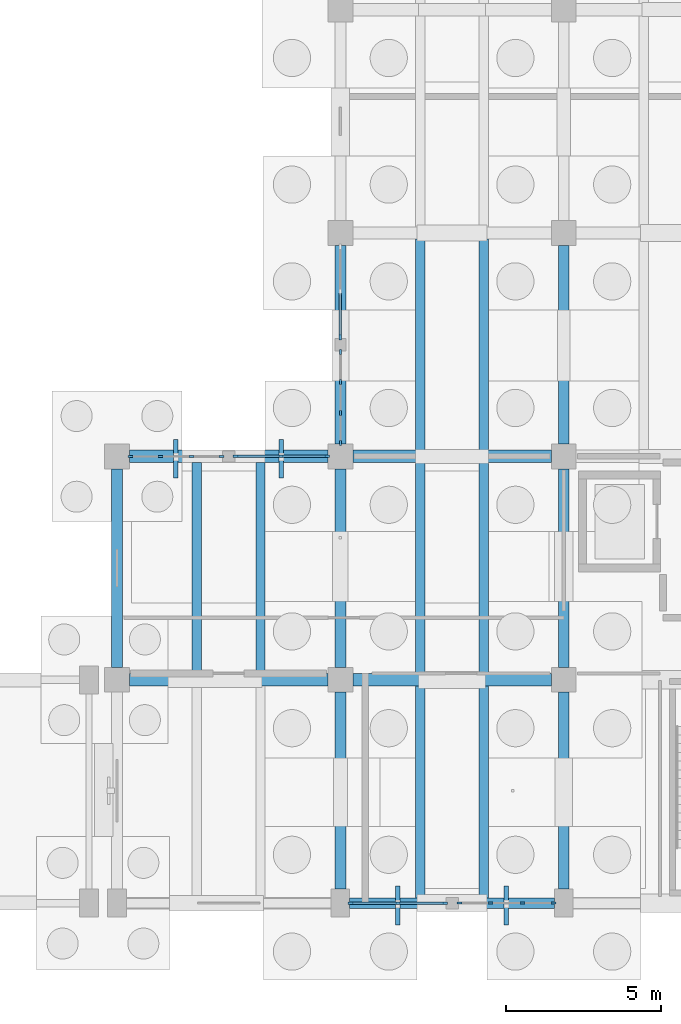
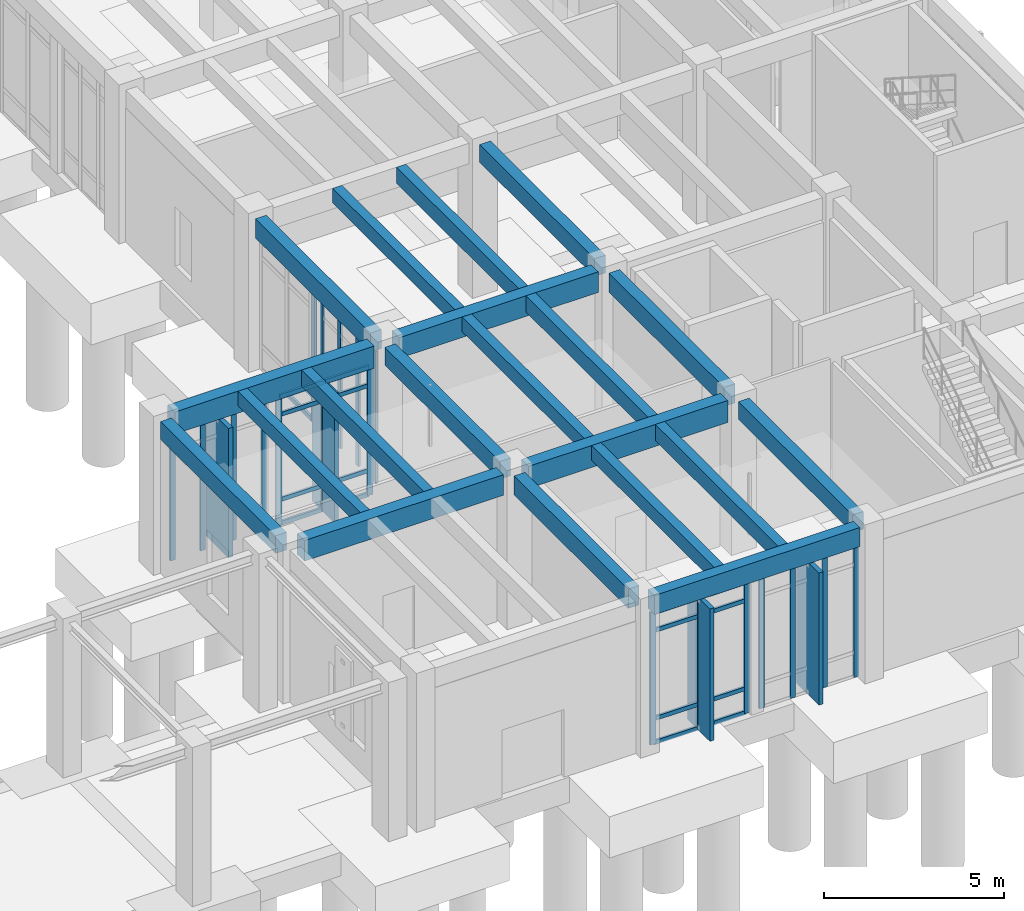
# One storey, part 35 of 93: 41 members, 20 beams, 6 elements without a shape of their own.
"""IFC4 building model written with IfcOpenShell, lengths in metres."""

from ifc_helpers import new_model, si_unit, direction, frame, origin, origin_2d, place, context, subcontext, project, spatial, rectangle, extrude, material, layer, layer_set, material_profile, profile_set, type_object, element, aggregate, save


model = new_model("IFC4")

# Units and contexts
model_context = context("Model", 3, precision=1e-05, world=origin(), true_north=direction((0.0, 1.0)))
body_context = subcontext(model_context, "Body", "Model", "MODEL_VIEW")
ifc_project = project(units=[si_unit("LENGTHUNIT", "METRE"), si_unit("AREAUNIT", "SQUARE_METRE"), si_unit("VOLUMEUNIT", "CUBIC_METRE"), si_unit("PLANEANGLEUNIT", "RADIAN"), si_unit("MASSUNIT", "GRAM", prefix="KILO")], contexts=[model_context])

# Site, building, storey
site_placement = place(None, origin())
site = spatial("IfcSite", under=ifc_project, at=site_placement, CompositionType="ELEMENT")
building_placement = place(site_placement, origin())
building = spatial("IfcBuilding", under=site, at=building_placement, Name="Koriwan Promenade Central Fire Station", CompositionType="ELEMENT")
storey_placement = place(building_placement, origin())
storey = spatial("IfcBuildingStorey", under=building, at=storey_placement, Name="L00", CompositionType="ELEMENT", Elevation=0.0)

# Beams
ifc_material_1 = material(Name="Concrete C35/45", Category="concrete")
ifc_material_profile_1 = material_profile(ifc_material_1, rectangle(XDim=0.300048828125, YDim=0.5, at=origin_2d()), Name="RC-BM-300x500")
ifc_profile_set_1 = profile_set([ifc_material_profile_1], Name="Concrete C35/45")
beam_type_1 = type_object("IfcBeamType", Name="Beam_RC-BM-300x500", PredefinedType="JOIST", material=ifc_profile_set_1)
beam_1_placement = place(storey_placement, frame((153.77587890625, 0.175048828125, 4.89990234375), z_axis=(0.0, 1.0, 0.0), x_axis=(-1.0, 0.0, 0.0)))
element("IfcBeam", 1, at=beam_1_placement, inside=storey, type_object=beam_type_1, Name="V5 L00 secondary joist 565", PredefinedType="JOIST", context=body_context, shape_type="SweptSolid", body=[
    extrude(rectangle(XDim=0.300048828125, YDim=0.5, at=origin_2d()), origin(), (0.0, 0.0, 1.0), 6.824951171875),
])
for number, where, z_axis, x_axis, name in (
    (2, (146.575927734375, 7.39990234375, 4.89990234375), (0.0, 1.0, 0.0), (-1.0, 0.0, 0.0), "V5 L00 secondary joist 569"),
    (3, (153.77587890625, 7.39990234375, 4.89990234375), (0.0, 1.0, 0.0), (-1.0, 0.0, 0.0), "V5 L00 secondary joist 571"),
):
    element("IfcBeam", number, at=place(storey_placement, frame(where, z_axis=z_axis, x_axis=x_axis)), inside=storey, type_object=beam_type_1, Name=name, PredefinedType="JOIST", context=body_context, shape_type="SweptSolid", body=[
        extrude(rectangle(XDim=0.300048828125, YDim=0.5, at=origin_2d()), origin(), (0.0, 0.0, 1.0), 6.800048828125),
    ])
beam_2_placement = place(storey_placement, frame((153.77587890625, 14.60009765625, 4.89990234375), z_axis=(0.0, 1.0, 0.0), x_axis=(-1.0, 0.0, 0.0)))
element("IfcBeam", 4, at=beam_2_placement, inside=storey, type_object=beam_type_1, Name="V5 L00 secondary joist 573", PredefinedType="JOIST", context=body_context, shape_type="SweptSolid", body=[
    extrude(rectangle(XDim=0.300048828125, YDim=0.5, at=origin_2d()), origin(), (0.0, 0.0, 1.0), 6.7998046875),
])
ifc_material_profile_2 = material_profile(ifc_material_1, rectangle(XDim=0.300048828125, YDim=0.550048828125, at=origin_2d()), Name="RC-BM-300x550")
ifc_profile_set_2 = profile_set([ifc_material_profile_2], Name="Concrete C35/45")
beam_type_2 = type_object("IfcBeamType", Name="Beam_RC-BM-300x550", PredefinedType="JOIST", material=ifc_profile_set_2)
beam_3_placement = place(storey_placement, frame((155.823974609375, 0.175048828125, 4.875), z_axis=(0.0, 1.0, 0.0), x_axis=(-1.0, 0.0, 0.0)))
element("IfcBeam", 5, at=beam_3_placement, inside=storey, type_object=beam_type_2, Name="V5 L00 secondary joist 566", PredefinedType="JOIST", context=body_context, shape_type="SweptSolid", body=[
    extrude(rectangle(XDim=0.300048828125, YDim=0.550048828125, at=origin_2d()), origin(), (0.0, 0.0, 1.0), 6.824951171875),
])
for number, where, z_axis, x_axis, name in (
    (6, (148.6240234375, 7.39990234375, 4.875), (0.0, 1.0, 0.0), (-1.0, 0.0, 0.0), "V5 L00 secondary joist 570"),
    (7, (155.823974609375, 7.39990234375, 4.875), (0.0, 1.0, 0.0), (-1.0, 0.0, 0.0), "V5 L00 secondary joist 572"),
):
    element("IfcBeam", number, at=place(storey_placement, frame(where, z_axis=z_axis, x_axis=x_axis)), inside=storey, type_object=beam_type_2, Name=name, PredefinedType="JOIST", context=body_context, shape_type="SweptSolid", body=[
        extrude(rectangle(XDim=0.300048828125, YDim=0.550048828125, at=origin_2d()), origin(), (0.0, 0.0, 1.0), 6.800048828125),
    ])
beam_4_placement = place(storey_placement, frame((155.823974609375, 14.60009765625, 4.875), z_axis=(0.0, 1.0, 0.0), x_axis=(-1.0, 0.0, 0.0)))
element("IfcBeam", 8, at=beam_4_placement, inside=storey, type_object=beam_type_2, Name="V5 L00 secondary joist 574", PredefinedType="JOIST", context=body_context, shape_type="SweptSolid", body=[
    extrude(rectangle(XDim=0.300048828125, YDim=0.550048828125, at=origin_2d()), origin(), (0.0, 0.0, 1.0), 6.7998046875),
])
ifc_material_profile_3 = material_profile(ifc_material_1, rectangle(XDim=0.35009765625, YDim=0.60009765625, at=origin_2d()), Name="RC-BM-350x600")
ifc_profile_set_3 = profile_set([ifc_material_profile_3], Name="Concrete C35/45")
beam_type_3 = type_object("IfcBeamType", Name="Beam_RC-BM-350x600", PredefinedType="BEAM", material=ifc_profile_set_3)
for number, where, z_axis, x_axis, name in (
    (9, (144.0, 7.60009765625, 4.85009765625), (0.0, 1.0, 0.0), (-1.0, 0.0, 0.0), "V5 L00 girder Y-518"),
    (10, (151.199951171875, 7.60009765625, 4.85009765625), (0.0, 1.0, 0.0), (-1.0, 0.0, 0.0), "V5 L00 girder Y-520"),
):
    element("IfcBeam", number, at=place(storey_placement, frame(where, z_axis=z_axis, x_axis=x_axis)), inside=storey, type_object=beam_type_3, Name=name, PredefinedType="BEAM", context=body_context, shape_type="SweptSolid", body=[
        extrude(rectangle(XDim=0.35009765625, YDim=0.60009765625, at=origin_2d()), origin(), (0.0, 0.0, 1.0), 6.39990234375),
    ])
beam_5_placement = place(storey_placement, frame((158.39990234375, 0.449951171875, 4.85009765625), z_axis=(0.0, 1.0, 0.0), x_axis=(-1.0, 0.0, 0.0)))
element("IfcBeam", 11, at=beam_5_placement, inside=storey, type_object=beam_type_3, Name="V5 L00 girder Y-530", PredefinedType="BEAM", context=body_context, shape_type="SweptSolid", body=[
    extrude(rectangle(XDim=0.35009765625, YDim=0.60009765625, at=origin_2d()), origin(), (0.0, 0.0, 1.0), 6.35009765625),
])
beam_6_placement = place(storey_placement, frame((158.39990234375, 14.800048828125, 4.85009765625), z_axis=(0.0, 1.0, 0.0), x_axis=(-1.0, 0.0, 0.0)))
element("IfcBeam", 12, at=beam_6_placement, inside=storey, type_object=beam_type_3, Name="V5 L00 girder Y-532", PredefinedType="BEAM", context=body_context, shape_type="SweptSolid", body=[
    extrude(rectangle(XDim=0.35009765625, YDim=0.60009765625, at=origin_2d()), origin(), (0.0, 0.0, 1.0), 6.39990234375),
])
ifc_material_profile_4 = material_profile(ifc_material_1, rectangle(XDim=0.35009765625, YDim=0.64990234375, at=origin_2d()), Name="RC-BM-350x650")
ifc_profile_set_4 = profile_set([ifc_material_profile_4], Name="Concrete C35/45")
beam_type_4 = type_object("IfcBeamType", Name="Beam_RC-BM-350x650", PredefinedType="BEAM", material=ifc_profile_set_4)
beam_7_placement = place(storey_placement, frame((151.199951171875, 0.449951171875, 4.824951171875), z_axis=(0.0, 1.0, 0.0), x_axis=(-1.0, 0.0, 0.0)))
element("IfcBeam", 13, at=beam_7_placement, inside=storey, type_object=beam_type_4, Name="V5 L00 girder Y-519", PredefinedType="BEAM", context=body_context, shape_type="SweptSolid", body=[
    extrude(rectangle(XDim=0.35009765625, YDim=0.64990234375, at=origin_2d()), origin(), (0.0, 0.0, 1.0), 6.35009765625),
])
for number, where, z_axis, x_axis, name in (
    (14, (151.199951171875, 14.800048828125, 4.824951171875), (0.0, 1.0, 0.0), (-1.0, 0.0, 0.0), "V5 L00 girder Y-521"),
    (15, (158.39990234375, 7.60009765625, 4.824951171875), (0.0, 1.0, 0.0), (-1.0, 0.0, 0.0), "V5 L00 girder Y-531"),
):
    element("IfcBeam", number, at=place(storey_placement, frame(where, z_axis=z_axis, x_axis=x_axis)), inside=storey, type_object=beam_type_4, Name=name, PredefinedType="BEAM", context=body_context, shape_type="SweptSolid", body=[
        extrude(rectangle(XDim=0.35009765625, YDim=0.64990234375, at=origin_2d()), origin(), (0.0, 0.0, 1.0), 6.39990234375),
    ])
ifc_material_profile_5 = material_profile(ifc_material_1, rectangle(XDim=0.39990234375, YDim=0.699951171875, at=origin_2d()), Name="RC-BM-400x700")
ifc_profile_set_5 = profile_set([ifc_material_profile_5], Name="Concrete C35/45")
beam_type_5 = type_object("IfcBeamType", Name="Beam_RC-BM-400x700", PredefinedType="BEAM", material=ifc_profile_set_5)
beam_8_placement = place(storey_placement, frame((144.39990234375, 7.199951171875, 4.800048828125), z_axis=(1.0, 0.0, 0.0), x_axis=(0.0, 1.0, 0.0)))
element("IfcBeam", 16, at=beam_8_placement, inside=storey, type_object=beam_type_5, Name="V5 L00 girder X-484", PredefinedType="BEAM", context=body_context, shape_type="SweptSolid", body=[
    extrude(rectangle(XDim=0.39990234375, YDim=0.699951171875, at=origin_2d()), origin(), (0.0, 0.0, 1.0), 6.400146484375),
])
beam_9_placement = place(storey_placement, frame((151.60009765625, 14.39990234375, 4.800048828125), z_axis=(1.0, 0.0, 0.0), x_axis=(0.0, 1.0, 0.0)))
element("IfcBeam", 17, at=beam_9_placement, inside=storey, type_object=beam_type_5, Name="V5 L00 girder X-488", PredefinedType="BEAM", context=body_context, shape_type="SweptSolid", body=[
    extrude(rectangle(XDim=0.39990234375, YDim=0.699951171875, at=origin_2d()), origin(), (0.0, 0.0, 1.0), 6.39990234375),
])
ifc_material_profile_6 = material_profile(ifc_material_1, rectangle(XDim=0.39990234375, YDim=0.75, at=origin_2d()), Name="RC-BM-400x750")
ifc_profile_set_6 = profile_set([ifc_material_profile_6], Name="Concrete C35/45")
beam_type_6 = type_object("IfcBeamType", Name="Beam_RC-BM-400x750", PredefinedType="BEAM", material=ifc_profile_set_6)
beam_10_placement = place(storey_placement, frame((151.60009765625, 7.199951171875, 4.77490234375), z_axis=(1.0, 0.0, 0.0), x_axis=(0.0, 1.0, 0.0)))
element("IfcBeam", 18, at=beam_10_placement, inside=storey, type_object=beam_type_6, Name="V5 L00 girder X-485", PredefinedType="BEAM", context=body_context, shape_type="SweptSolid", body=[
    extrude(rectangle(XDim=0.39990234375, YDim=0.75, at=origin_2d()), origin(), (0.0, 0.0, 1.0), 6.39990234375),
])
beam_11_placement = place(storey_placement, frame((144.39990234375, 14.39990234375, 4.77490234375), z_axis=(1.0, 0.0, 0.0), x_axis=(0.0, 1.0, 0.0)))
element("IfcBeam", 19, at=beam_11_placement, inside=storey, type_object=beam_type_6, Name="V5 L00 girder X-487", PredefinedType="BEAM", context=body_context, shape_type="SweptSolid", body=[
    extrude(rectangle(XDim=0.39990234375, YDim=0.75, at=origin_2d()), origin(), (0.0, 0.0, 1.0), 6.400146484375),
])
ifc_material_profile_7 = material_profile(ifc_material_1, rectangle(XDim=0.35009765625, YDim=0.64990234375, at=origin_2d()), Name="RC-SP-350x650")
ifc_profile_set_7 = profile_set([ifc_material_profile_7], Name="Concrete C35/45")
beam_type_7 = type_object("IfcBeamType", Name="Beam_RC-SP-350x650", PredefinedType="SPANDREL", material=ifc_profile_set_7)
beam_12_placement = place(storey_placement, frame((151.5, 0.0, 4.824951171875), z_axis=(1.0, 0.0, 0.0), x_axis=(0.0, 1.0, 0.0)))
element("IfcBeam", 20, at=beam_12_placement, inside=storey, type_object=beam_type_7, Name="V5 L00 girder X-481", PredefinedType="SPANDREL", context=body_context, shape_type="SweptSolid", body=[
    extrude(rectangle(XDim=0.35009765625, YDim=0.64990234375, at=origin_2d()), origin(), (0.0, 0.0, 1.0), 6.60009765625),
])

# Curtain wall, members
ifc_material_2 = material(Name="Aluminium EN AW-6063-T6 and low-E glazing", Category="aluminium")
ifc_layer_1 = layer(ifc_material_2, 0.159912109375, Name="Aluminium EN AW-6063-T6 and low-E glazing")
ifc_layer_set_1 = layer_set([ifc_layer_1], Name="Aluminium EN AW-6063-T6 and low-E glazing")
curtain_wall_type_1 = type_object("IfcCurtainWallType", Name="CurtainWall_48_310x449", PredefinedType="USERDEFINED", material=ifc_layer_set_1)
curtain_wall_1_placement = place(storey_placement, origin())
curtain_wall_1 = element("IfcCurtainWall", 21, at=curtain_wall_1_placement, inside=storey, type_object=curtain_wall_type_1, Name="V5 L00 unitised curtain wall 131", ObjectType="UNITISED CURTAIN WALL", PredefinedType="USERDEFINED")
ifc_material_3 = material(Name="Aluminium EN AW-6063-T6", Category="aluminium")
ifc_material_profile_8 = material_profile(ifc_material_3, rectangle(XDim=0.06494140625, YDim=0.159912109375, at=origin_2d()), Name="ALU-MUL-65x160")
ifc_profile_set_8 = profile_set([ifc_material_profile_8], Name="Aluminium EN AW-6063-T6")
member_type_1 = type_object("IfcMemberType", Name="CWMullion_ALU-MUL-65x160", PredefinedType="MULLION", material=ifc_profile_set_8)
member_1_placement = place(storey_placement, frame((158.0673828125, 0.0, 0.0), z_axis=(0.0, 0.0, 1.0), x_axis=(0.0, -1.0, 0.0)))
member_1 = element("IfcMember", 22, at=member_1_placement, type_object=member_type_1, Name="CW-48 mullion 1", PredefinedType="MULLION", context=body_context, shape_type="SweptSolid", body=[
    extrude(rectangle(XDim=0.06494140625, YDim=0.159912109375, at=origin_2d()), origin(), (0.0, 0.0, 1.0), 4.489990234375),
])
member_2_placement = place(storey_placement, frame((157.066650390625, 0.0, 0.0), z_axis=(0.0, 0.0, 1.0), x_axis=(0.0, -1.0, 0.0)))
member_2 = element("IfcMember", 23, at=member_2_placement, type_object=member_type_1, Name="CW-48 mullion 2", PredefinedType="MULLION", context=body_context, shape_type="SweptSolid", body=[
    extrude(rectangle(XDim=0.06494140625, YDim=0.159912109375, at=origin_2d()), origin(), (0.0, 0.0, 1.0), 4.489990234375),
])
member_3_placement = place(storey_placement, frame((156.033447265625, 0.0, 0.0), z_axis=(0.0, 0.0, 1.0), x_axis=(0.0, -1.0, 0.0)))
member_3 = element("IfcMember", 24, at=member_3_placement, type_object=member_type_1, Name="CW-48 mullion 3", PredefinedType="MULLION", context=body_context, shape_type="SweptSolid", body=[
    extrude(rectangle(XDim=0.06494140625, YDim=0.159912109375, at=origin_2d()), origin(), (0.0, 0.0, 1.0), 4.489990234375),
])
member_4_placement = place(storey_placement, frame((155.032470703125, 0.0, 0.0), z_axis=(0.0, 0.0, 1.0), x_axis=(0.0, -1.0, 0.0)))
member_4 = element("IfcMember", 25, at=member_4_placement, type_object=member_type_1, Name="CW-48 mullion 4", PredefinedType="MULLION", context=body_context, shape_type="SweptSolid", body=[
    extrude(rectangle(XDim=0.06494140625, YDim=0.159912109375, at=origin_2d()), origin(), (0.0, 0.0, 1.0), 4.489990234375),
])
aggregate(curtain_wall_1, [member_1, member_2, member_3, member_4])

ifc_layer_2 = layer(ifc_material_2, 0.159912109375, Name="Aluminium EN AW-6063-T6 and low-E glazing")
ifc_layer_set_2 = layer_set([ifc_layer_2], Name="Aluminium EN AW-6063-T6 and low-E glazing")
curtain_wall_type_2 = type_object("IfcCurtainWallType", Name="CurtainWall_49_300x439", PredefinedType="USERDEFINED", material=ifc_layer_set_2)
curtain_wall_2_placement = place(storey_placement, origin())
curtain_wall_2 = element("IfcCurtainWall", 26, at=curtain_wall_2_placement, inside=storey, type_object=curtain_wall_type_2, Name="V5 L00 unitised curtain wall 133", ObjectType="UNITISED CURTAIN WALL", PredefinedType="USERDEFINED")
member_5_placement = place(storey_placement, frame((144.4326171875, 14.39990234375, 0.0), z_axis=(0.0, 0.0, 1.0), x_axis=(0.0, 1.0, 0.0)))
member_5 = element("IfcMember", 27, at=member_5_placement, type_object=member_type_1, Name="CW-49 mullion 1", PredefinedType="MULLION", context=body_context, shape_type="SweptSolid", body=[
    extrude(rectangle(XDim=0.06494140625, YDim=0.159912109375, at=origin_2d()), origin(), (0.0, 0.0, 1.0), 4.389892578125),
])
member_6_placement = place(storey_placement, frame((145.39990234375, 14.39990234375, 0.0), z_axis=(0.0, 0.0, 1.0), x_axis=(0.0, 1.0, 0.0)))
member_6 = element("IfcMember", 28, at=member_6_placement, type_object=member_type_1, Name="CW-49 mullion 2", PredefinedType="MULLION", context=body_context, shape_type="SweptSolid", body=[
    extrude(rectangle(XDim=0.06494140625, YDim=0.159912109375, at=origin_2d()), origin(), (0.0, 0.0, 1.0), 4.389892578125),
])
member_7_placement = place(storey_placement, frame((146.39990234375, 14.39990234375, 0.0), z_axis=(0.0, 0.0, 1.0), x_axis=(0.0, 1.0, 0.0)))
member_7 = element("IfcMember", 29, at=member_7_placement, type_object=member_type_1, Name="CW-49 mullion 3", PredefinedType="MULLION", context=body_context, shape_type="SweptSolid", body=[
    extrude(rectangle(XDim=0.06494140625, YDim=0.159912109375, at=origin_2d()), origin(), (0.0, 0.0, 1.0), 4.389892578125),
])
member_8_placement = place(storey_placement, frame((147.367431640625, 14.39990234375, 0.0), z_axis=(0.0, 0.0, 1.0), x_axis=(0.0, 1.0, 0.0)))
member_8 = element("IfcMember", 30, at=member_8_placement, type_object=member_type_1, Name="CW-49 mullion 4", PredefinedType="MULLION", context=body_context, shape_type="SweptSolid", body=[
    extrude(rectangle(XDim=0.06494140625, YDim=0.159912109375, at=origin_2d()), origin(), (0.0, 0.0, 1.0), 4.389892578125),
])
aggregate(curtain_wall_2, [member_5, member_6, member_7, member_8])

ifc_layer_3 = layer(ifc_material_2, 0.159912109375, Name="Aluminium EN AW-6063-T6 and low-E glazing")
ifc_layer_set_3 = layer_set([ifc_layer_3], Name="Aluminium EN AW-6063-T6 and low-E glazing")
curtain_wall_type_3 = type_object("IfcCurtainWallType", Name="CurtainWall_51_300x449", PredefinedType="USERDEFINED", material=ifc_layer_set_3)
curtain_wall_3_placement = place(storey_placement, origin())
curtain_wall_3 = element("IfcCurtainWall", 31, at=curtain_wall_3_placement, inside=storey, type_object=curtain_wall_type_3, Name="V5 L00 unitised curtain wall 135", ObjectType="UNITISED CURTAIN WALL", PredefinedType="USERDEFINED")
member_9_placement = place(storey_placement, frame((151.199951171875, 14.83251953125, 0.0), z_axis=(0.0, 0.0, 1.0), x_axis=(-1.0, 0.0, 0.0)))
member_9 = element("IfcMember", 32, at=member_9_placement, type_object=member_type_1, Name="CW-51 mullion 1", PredefinedType="MULLION", context=body_context, shape_type="SweptSolid", body=[
    extrude(rectangle(XDim=0.06494140625, YDim=0.159912109375, at=origin_2d()), origin(), (0.0, 0.0, 1.0), 4.489990234375),
])
member_10_placement = place(storey_placement, frame((151.199951171875, 15.800048828125, 0.0), z_axis=(0.0, 0.0, 1.0), x_axis=(-1.0, 0.0, 0.0)))
member_10 = element("IfcMember", 33, at=member_10_placement, type_object=member_type_1, Name="CW-51 mullion 2", PredefinedType="MULLION", context=body_context, shape_type="SweptSolid", body=[
    extrude(rectangle(XDim=0.06494140625, YDim=0.159912109375, at=origin_2d()), origin(), (0.0, 0.0, 1.0), 4.489990234375),
])
member_11_placement = place(storey_placement, frame((151.199951171875, 16.800048828125, 0.0), z_axis=(0.0, 0.0, 1.0), x_axis=(-1.0, 0.0, 0.0)))
member_11 = element("IfcMember", 34, at=member_11_placement, type_object=member_type_1, Name="CW-51 mullion 3", PredefinedType="MULLION", context=body_context, shape_type="SweptSolid", body=[
    extrude(rectangle(XDim=0.06494140625, YDim=0.159912109375, at=origin_2d()), origin(), (0.0, 0.0, 1.0), 4.489990234375),
])
member_12_placement = place(storey_placement, frame((151.199951171875, 17.767578125, 0.0), z_axis=(0.0, 0.0, 1.0), x_axis=(-1.0, 0.0, 0.0)))
member_12 = element("IfcMember", 35, at=member_12_placement, type_object=member_type_1, Name="CW-51 mullion 4", PredefinedType="MULLION", context=body_context, shape_type="SweptSolid", body=[
    extrude(rectangle(XDim=0.06494140625, YDim=0.159912109375, at=origin_2d()), origin(), (0.0, 0.0, 1.0), 4.489990234375),
])
aggregate(curtain_wall_3, [member_9, member_10, member_11, member_12])

ifc_layer_4 = layer(ifc_material_2, 0.159912109375, Name="Aluminium EN AW-6063-T6 and low-E glazing")
ifc_layer_set_4 = layer_set([ifc_layer_4], Name="Aluminium EN AW-6063-T6 and low-E glazing")
curtain_wall_type_4 = type_object("IfcCurtainWallType", Name="CurtainWall_39_310x449", PredefinedType="USERDEFINED", material=ifc_layer_set_4)
curtain_wall_4_placement = place(storey_placement, origin())
curtain_wall_4 = element("IfcCurtainWall", 36, at=curtain_wall_4_placement, inside=storey, type_object=curtain_wall_type_4, Name="V5 L00 unitised curtain wall 132", ObjectType="UNITISED CURTAIN WALL", PredefinedType="USERDEFINED")
ifc_material_profile_9 = material_profile(ifc_material_3, rectangle(XDim=0.074951171875, YDim=0.179931640625, at=origin_2d()), Name="ALU-MUL-75x180")
ifc_profile_set_9 = profile_set([ifc_material_profile_9], Name="Aluminium EN AW-6063-T6")
member_type_2 = type_object("IfcMemberType", Name="CWMullion_ALU-MUL-75x180", PredefinedType="MULLION", material=ifc_profile_set_9)
member_13_placement = place(storey_placement, frame((154.5625, 0.0, 0.0), z_axis=(0.0, 0.0, 1.0), x_axis=(0.0, -1.0, 0.0)))
member_13 = element("IfcMember", 37, at=member_13_placement, type_object=member_type_2, Name="CW-39 mullion 1", PredefinedType="MULLION", context=body_context, shape_type="SweptSolid", body=[
    extrude(rectangle(XDim=0.074951171875, YDim=0.179931640625, at=origin_2d()), origin(), (0.0, 0.0, 1.0), 4.489990234375),
])
member_14_placement = place(storey_placement, frame((153.050048828125, 0.0, 0.0), z_axis=(0.0, 0.0, 1.0), x_axis=(0.0, -1.0, 0.0)))
member_14 = element("IfcMember", 38, at=member_14_placement, type_object=member_type_2, Name="CW-39 mullion 2", PredefinedType="MULLION", context=body_context, shape_type="SweptSolid", body=[
    extrude(rectangle(XDim=0.074951171875, YDim=0.179931640625, at=origin_2d()), origin(), (0.0, 0.0, 1.0), 4.489990234375),
])
member_15_placement = place(storey_placement, frame((151.53759765625, 0.0, 0.0), z_axis=(0.0, 0.0, 1.0), x_axis=(0.0, -1.0, 0.0)))
member_15 = element("IfcMember", 39, at=member_15_placement, type_object=member_type_2, Name="CW-39 mullion 3", PredefinedType="MULLION", context=body_context, shape_type="SweptSolid", body=[
    extrude(rectangle(XDim=0.074951171875, YDim=0.179931640625, at=origin_2d()), origin(), (0.0, 0.0, 1.0), 4.489990234375),
])

ifc_layer_5 = layer(ifc_material_2, 0.159912109375, Name="Aluminium EN AW-6063-T6 and low-E glazing")
ifc_layer_set_5 = layer_set([ifc_layer_5], Name="Aluminium EN AW-6063-T6 and low-E glazing")
curtain_wall_type_5 = type_object("IfcCurtainWallType", Name="CurtainWall_50_300x439", PredefinedType="USERDEFINED", material=ifc_layer_set_5)
curtain_wall_5_placement = place(storey_placement, origin())
curtain_wall_5 = element("IfcCurtainWall", 40, at=curtain_wall_5_placement, inside=storey, type_object=curtain_wall_type_5, Name="V5 L00 unitised curtain wall 134", ObjectType="UNITISED CURTAIN WALL", PredefinedType="USERDEFINED")
member_16_placement = place(storey_placement, frame((147.83740234375, 14.39990234375, 0.0), z_axis=(0.0, 0.0, 1.0), x_axis=(0.0, 1.0, 0.0)))
member_16 = element("IfcMember", 41, at=member_16_placement, type_object=member_type_2, Name="CW-50 mullion 1", PredefinedType="MULLION", context=body_context, shape_type="SweptSolid", body=[
    extrude(rectangle(XDim=0.074951171875, YDim=0.179931640625, at=origin_2d()), origin(), (0.0, 0.0, 1.0), 4.389892578125),
])
member_17_placement = place(storey_placement, frame((149.300048828125, 14.39990234375, 0.0), z_axis=(0.0, 0.0, 1.0), x_axis=(0.0, 1.0, 0.0)))
member_17 = element("IfcMember", 42, at=member_17_placement, type_object=member_type_2, Name="CW-50 mullion 2", PredefinedType="MULLION", context=body_context, shape_type="SweptSolid", body=[
    extrude(rectangle(XDim=0.074951171875, YDim=0.179931640625, at=origin_2d()), origin(), (0.0, 0.0, 1.0), 4.389892578125),
])
member_18_placement = place(storey_placement, frame((150.762451171875, 14.39990234375, 0.0), z_axis=(0.0, 0.0, 1.0), x_axis=(0.0, 1.0, 0.0)))
member_18 = element("IfcMember", 43, at=member_18_placement, type_object=member_type_2, Name="CW-50 mullion 3", PredefinedType="MULLION", context=body_context, shape_type="SweptSolid", body=[
    extrude(rectangle(XDim=0.074951171875, YDim=0.179931640625, at=origin_2d()), origin(), (0.0, 0.0, 1.0), 4.389892578125),
])

# Curtain wall, member
ifc_layer_6 = layer(ifc_material_2, 0.159912109375, Name="Aluminium EN AW-6063-T6 and low-E glazing")
ifc_layer_set_6 = layer_set([ifc_layer_6], Name="Aluminium EN AW-6063-T6 and low-E glazing")
curtain_wall_type_6 = type_object("IfcCurtainWallType", Name="CurtainWall_52_300x449", PredefinedType="USERDEFINED", material=ifc_layer_set_6)
curtain_wall_6_placement = place(storey_placement, origin())
curtain_wall_6 = element("IfcCurtainWall", 44, at=curtain_wall_6_placement, inside=storey, type_object=curtain_wall_type_6, Name="V5 L00 unitised curtain wall 136", ObjectType="UNITISED CURTAIN WALL", PredefinedType="USERDEFINED")
member_19_placement = place(storey_placement, frame((151.199951171875, 18.237548828125, 0.0), z_axis=(0.0, 0.0, 1.0), x_axis=(-1.0, 0.0, 0.0)))
member_19 = element("IfcMember", 45, at=member_19_placement, type_object=member_type_2, Name="CW-52 mullion 1", PredefinedType="MULLION", context=body_context, shape_type="SweptSolid", body=[
    extrude(rectangle(XDim=0.074951171875, YDim=0.179931640625, at=origin_2d()), origin(), (0.0, 0.0, 1.0), 4.489990234375),
])

# Member
ifc_material_profile_10 = material_profile(ifc_material_3, rectangle(XDim=0.074951171875, YDim=0.139892578125, at=origin_2d()), Name="ALU-TRN-75x140")
ifc_profile_set_10 = profile_set([ifc_material_profile_10], Name="Aluminium EN AW-6063-T6")
member_type_3 = type_object("IfcMemberType", Name="CWTransom_ALU-TRN-75x140", PredefinedType="USERDEFINED", material=ifc_profile_set_10)
member_20_placement = place(storey_placement, frame((154.52490234375, 0.0, 0.03759765625), z_axis=(-1.0, 0.0, 0.0), x_axis=(0.0, -1.0, 0.0)))
member_20 = element("IfcMember", 46, at=member_20_placement, type_object=member_type_3, Name="CW-39 transom 1.1", ObjectType="TRANSOM", PredefinedType="USERDEFINED", context=body_context, shape_type="SweptSolid", body=[
    extrude(rectangle(XDim=0.074951171875, YDim=0.139892578125, at=origin_2d()), origin(), (0.0, 0.0, 1.0), 1.4375),
])

member_21_placement = place(storey_placement, frame((154.52490234375, 0.0, 0.85009765625), z_axis=(-1.0, 0.0, 0.0), x_axis=(0.0, -1.0, 0.0)))
member_21 = element("IfcMember", 47, at=member_21_placement, type_object=member_type_3, Name="CW-39 transom 1.2", ObjectType="TRANSOM", PredefinedType="USERDEFINED", context=body_context, shape_type="SweptSolid", body=[
    extrude(rectangle(XDim=0.074951171875, YDim=0.139892578125, at=origin_2d()), origin(), (0.0, 0.0, 1.0), 1.4375),
])

member_22_placement = place(storey_placement, frame((154.52490234375, 0.0, 3.840087890625), z_axis=(-1.0, 0.0, 0.0), x_axis=(0.0, -1.0, 0.0)))
member_22 = element("IfcMember", 48, at=member_22_placement, type_object=member_type_3, Name="CW-39 transom 1.3", ObjectType="TRANSOM", PredefinedType="USERDEFINED", context=body_context, shape_type="SweptSolid", body=[
    extrude(rectangle(XDim=0.074951171875, YDim=0.139892578125, at=origin_2d()), origin(), (0.0, 0.0, 1.0), 1.4375),
])

member_23_placement = place(storey_placement, frame((154.52490234375, 0.0, 4.452392578125), z_axis=(-1.0, 0.0, 0.0), x_axis=(0.0, -1.0, 0.0)))
member_23 = element("IfcMember", 49, at=member_23_placement, type_object=member_type_3, Name="CW-39 transom 1.4", ObjectType="TRANSOM", PredefinedType="USERDEFINED", context=body_context, shape_type="SweptSolid", body=[
    extrude(rectangle(XDim=0.074951171875, YDim=0.139892578125, at=origin_2d()), origin(), (0.0, 0.0, 1.0), 1.4375),
])

member_24_placement = place(storey_placement, frame((153.012451171875, 0.0, 0.03759765625), z_axis=(-1.0, 0.0, 0.0), x_axis=(0.0, -1.0, 0.0)))
member_24 = element("IfcMember", 50, at=member_24_placement, type_object=member_type_3, Name="CW-39 transom 2.1", ObjectType="TRANSOM", PredefinedType="USERDEFINED", context=body_context, shape_type="SweptSolid", body=[
    extrude(rectangle(XDim=0.074951171875, YDim=0.139892578125, at=origin_2d()), origin(), (0.0, 0.0, 1.0), 1.4375),
])

member_25_placement = place(storey_placement, frame((153.012451171875, 0.0, 0.85009765625), z_axis=(-1.0, 0.0, 0.0), x_axis=(0.0, -1.0, 0.0)))
member_25 = element("IfcMember", 51, at=member_25_placement, type_object=member_type_3, Name="CW-39 transom 2.2", ObjectType="TRANSOM", PredefinedType="USERDEFINED", context=body_context, shape_type="SweptSolid", body=[
    extrude(rectangle(XDim=0.074951171875, YDim=0.139892578125, at=origin_2d()), origin(), (0.0, 0.0, 1.0), 1.4375),
])

member_26_placement = place(storey_placement, frame((153.012451171875, 0.0, 3.840087890625), z_axis=(-1.0, 0.0, 0.0), x_axis=(0.0, -1.0, 0.0)))
member_26 = element("IfcMember", 52, at=member_26_placement, type_object=member_type_3, Name="CW-39 transom 2.3", ObjectType="TRANSOM", PredefinedType="USERDEFINED", context=body_context, shape_type="SweptSolid", body=[
    extrude(rectangle(XDim=0.074951171875, YDim=0.139892578125, at=origin_2d()), origin(), (0.0, 0.0, 1.0), 1.4375),
])

member_27_placement = place(storey_placement, frame((153.012451171875, 0.0, 4.452392578125), z_axis=(-1.0, 0.0, 0.0), x_axis=(0.0, -1.0, 0.0)))
member_27 = element("IfcMember", 53, at=member_27_placement, type_object=member_type_3, Name="CW-39 transom 2.4", ObjectType="TRANSOM", PredefinedType="USERDEFINED", context=body_context, shape_type="SweptSolid", body=[
    extrude(rectangle(XDim=0.074951171875, YDim=0.139892578125, at=origin_2d()), origin(), (0.0, 0.0, 1.0), 1.4375),
])

aggregate(curtain_wall_4, [member_13, member_14, member_15, member_20, member_21, member_22, member_23, member_24, member_25, member_26, member_27])

member_28_placement = place(storey_placement, frame((147.875, 14.39990234375, 0.03759765625), z_axis=(1.0, 0.0, 0.0), x_axis=(0.0, 1.0, 0.0)))
member_28 = element("IfcMember", 54, at=member_28_placement, type_object=member_type_3, Name="CW-50 transom 1.1", ObjectType="TRANSOM", PredefinedType="USERDEFINED", context=body_context, shape_type="SweptSolid", body=[
    extrude(rectangle(XDim=0.074951171875, YDim=0.139892578125, at=origin_2d()), origin(), (0.0, 0.0, 1.0), 1.387451171875),
])

member_29_placement = place(storey_placement, frame((147.875, 14.39990234375, 0.85009765625), z_axis=(1.0, 0.0, 0.0), x_axis=(0.0, 1.0, 0.0)))
member_29 = element("IfcMember", 55, at=member_29_placement, type_object=member_type_3, Name="CW-50 transom 1.2", ObjectType="TRANSOM", PredefinedType="USERDEFINED", context=body_context, shape_type="SweptSolid", body=[
    extrude(rectangle(XDim=0.074951171875, YDim=0.139892578125, at=origin_2d()), origin(), (0.0, 0.0, 1.0), 1.387451171875),
])

member_30_placement = place(storey_placement, frame((147.875, 14.39990234375, 3.739990234375), z_axis=(1.0, 0.0, 0.0), x_axis=(0.0, 1.0, 0.0)))
member_30 = element("IfcMember", 56, at=member_30_placement, type_object=member_type_3, Name="CW-50 transom 1.3", ObjectType="TRANSOM", PredefinedType="USERDEFINED", context=body_context, shape_type="SweptSolid", body=[
    extrude(rectangle(XDim=0.074951171875, YDim=0.139892578125, at=origin_2d()), origin(), (0.0, 0.0, 1.0), 1.387451171875),
])

member_31_placement = place(storey_placement, frame((147.875, 14.39990234375, 4.3525390625), z_axis=(1.0, 0.0, 0.0), x_axis=(0.0, 1.0, 0.0)))
member_31 = element("IfcMember", 57, at=member_31_placement, type_object=member_type_3, Name="CW-50 transom 1.4", ObjectType="TRANSOM", PredefinedType="USERDEFINED", context=body_context, shape_type="SweptSolid", body=[
    extrude(rectangle(XDim=0.074951171875, YDim=0.139892578125, at=origin_2d()), origin(), (0.0, 0.0, 1.0), 1.387451171875),
])

member_32_placement = place(storey_placement, frame((149.33740234375, 14.39990234375, 0.03759765625), z_axis=(1.0, 0.0, 0.0), x_axis=(0.0, 1.0, 0.0)))
member_32 = element("IfcMember", 58, at=member_32_placement, type_object=member_type_3, Name="CW-50 transom 2.1", ObjectType="TRANSOM", PredefinedType="USERDEFINED", context=body_context, shape_type="SweptSolid", body=[
    extrude(rectangle(XDim=0.074951171875, YDim=0.139892578125, at=origin_2d()), origin(), (0.0, 0.0, 1.0), 1.3876953125),
])

member_33_placement = place(storey_placement, frame((149.33740234375, 14.39990234375, 0.85009765625), z_axis=(1.0, 0.0, 0.0), x_axis=(0.0, 1.0, 0.0)))
member_33 = element("IfcMember", 59, at=member_33_placement, type_object=member_type_3, Name="CW-50 transom 2.2", ObjectType="TRANSOM", PredefinedType="USERDEFINED", context=body_context, shape_type="SweptSolid", body=[
    extrude(rectangle(XDim=0.074951171875, YDim=0.139892578125, at=origin_2d()), origin(), (0.0, 0.0, 1.0), 1.3876953125),
])

member_34_placement = place(storey_placement, frame((149.33740234375, 14.39990234375, 3.739990234375), z_axis=(1.0, 0.0, 0.0), x_axis=(0.0, 1.0, 0.0)))
member_34 = element("IfcMember", 60, at=member_34_placement, type_object=member_type_3, Name="CW-50 transom 2.3", ObjectType="TRANSOM", PredefinedType="USERDEFINED", context=body_context, shape_type="SweptSolid", body=[
    extrude(rectangle(XDim=0.074951171875, YDim=0.139892578125, at=origin_2d()), origin(), (0.0, 0.0, 1.0), 1.3876953125),
])

member_35_placement = place(storey_placement, frame((149.33740234375, 14.39990234375, 4.3525390625), z_axis=(1.0, 0.0, 0.0), x_axis=(0.0, 1.0, 0.0)))
member_35 = element("IfcMember", 61, at=member_35_placement, type_object=member_type_3, Name="CW-50 transom 2.4", ObjectType="TRANSOM", PredefinedType="USERDEFINED", context=body_context, shape_type="SweptSolid", body=[
    extrude(rectangle(XDim=0.074951171875, YDim=0.139892578125, at=origin_2d()), origin(), (0.0, 0.0, 1.0), 1.3876953125),
])

aggregate(curtain_wall_5, [member_16, member_17, member_18, member_28, member_29, member_30, member_31, member_32, member_33, member_34, member_35])

member_36_placement = place(storey_placement, frame((151.199951171875, 18.27490234375, 0.03759765625), z_axis=(0.0, 1.0, 0.0), x_axis=(-1.0, 0.0, 0.0)))
member_36 = element("IfcMember", 62, at=member_36_placement, type_object=member_type_3, Name="CW-52 transom 1.1", ObjectType="TRANSOM", PredefinedType="USERDEFINED", context=body_context, shape_type="SweptSolid", body=[
    extrude(rectangle(XDim=0.074951171875, YDim=0.139892578125, at=origin_2d()), origin(), (0.0, 0.0, 1.0), 1.3876953125),
])

member_37_placement = place(storey_placement, frame((151.199951171875, 18.27490234375, 0.85009765625), z_axis=(0.0, 1.0, 0.0), x_axis=(-1.0, 0.0, 0.0)))
member_37 = element("IfcMember", 63, at=member_37_placement, type_object=member_type_3, Name="CW-52 transom 1.2", ObjectType="TRANSOM", PredefinedType="USERDEFINED", context=body_context, shape_type="SweptSolid", body=[
    extrude(rectangle(XDim=0.074951171875, YDim=0.139892578125, at=origin_2d()), origin(), (0.0, 0.0, 1.0), 1.3876953125),
])

aggregate(curtain_wall_6, [member_19, member_36, member_37])

# Members
ifc_material_4 = material(Name="Aluminium EN AW-6063-T6 terracotta finish", Category="masonry")
ifc_material_profile_11 = material_profile(ifc_material_4, rectangle(XDim=0.139892578125, YDim=1.25, at=origin_2d()), Name="FIN-TRC-140x1250")
ifc_profile_set_11 = profile_set([ifc_material_profile_11], Name="Aluminium EN AW-6063-T6 terracotta finish")
member_type_4 = type_object("IfcMemberType", Name="SolarFin_FIN-TRC-140x1250", PredefinedType="USERDEFINED", material=ifc_profile_set_11)
for number, where, z_axis, x_axis, name in (
    (64, (156.550048828125, -0.074951171875, 0.0), (0.0, 0.0, 1.0), (-1.0, 0.0, 0.0), "V5 L00 terracotta solar fin 013"),
    (65, (153.050048828125, -0.074951171875, 0.0), (0.0, 0.0, 1.0), (-1.0, 0.0, 0.0), "V5 L00 terracotta solar fin 014"),
):
    element("IfcMember", number, at=place(storey_placement, frame(where, z_axis=z_axis, x_axis=x_axis)), inside=storey, type_object=member_type_4, Name=name, ObjectType="SOLAR FIN", PredefinedType="USERDEFINED", context=body_context, shape_type="SweptSolid", body=[
        extrude(rectangle(XDim=0.139892578125, YDim=1.25, at=origin_2d()), origin(), (0.0, 0.0, 1.0), 4.489990234375),
    ])
for number, where, z_axis, x_axis, name in (
    (66, (145.89990234375, 14.324951171875, 0.0), (0.0, 0.0, 1.0), (-1.0, 0.0, 0.0), "V5 L00 terracotta solar fin 015"),
    (67, (149.300048828125, 14.324951171875, 0.0), (0.0, 0.0, 1.0), (-1.0, 0.0, 0.0), "V5 L00 terracotta solar fin 016"),
):
    element("IfcMember", number, at=place(storey_placement, frame(where, z_axis=z_axis, x_axis=x_axis)), inside=storey, type_object=member_type_4, Name=name, ObjectType="SOLAR FIN", PredefinedType="USERDEFINED", context=body_context, shape_type="SweptSolid", body=[
        extrude(rectangle(XDim=0.139892578125, YDim=1.25, at=origin_2d()), origin(), (0.0, 0.0, 1.0), 4.389892578125),
    ])

save(model, "model.ifc")
